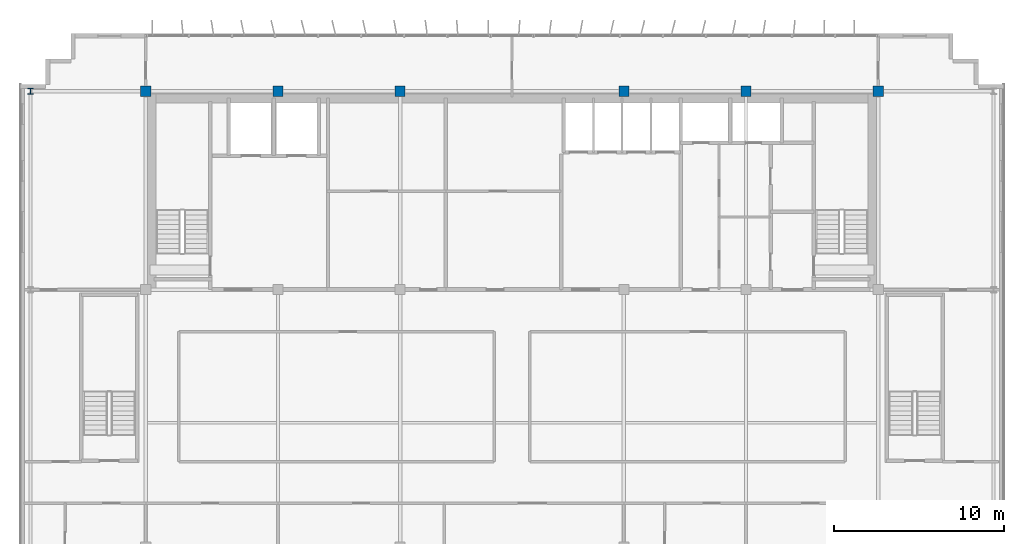
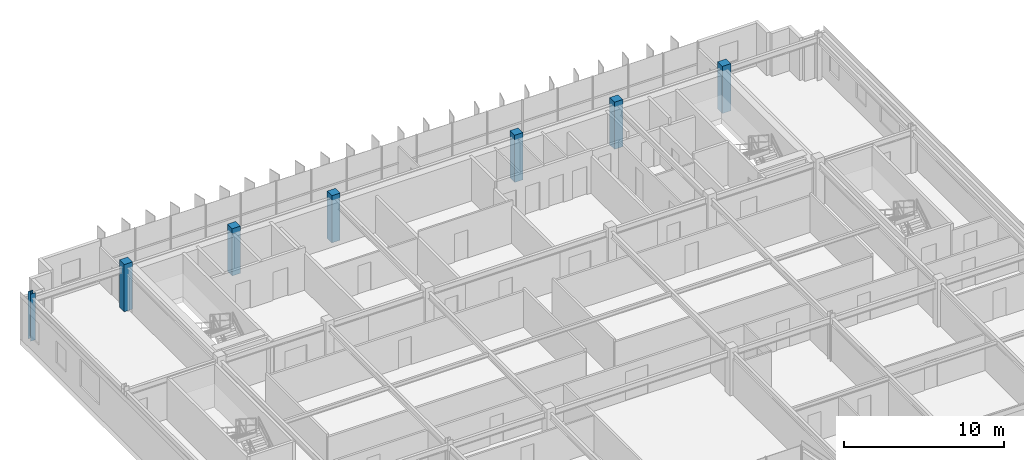
# One storey, part 3 of 28: 7 columns.
"""IFC4 building model written with IfcOpenShell, lengths in metres."""

from ifc_helpers import new_model, si_unit, direction, frame, origin, origin_2d, place, context, subcontext, project, spatial, rectangle, i_section, extrude, source, transform, mapped, material, material_profile, profile_set, type_object, element, save


model = new_model("IFC4")

# Units and contexts
model_context = context("Model", 3, precision=1e-05, world=origin(), true_north=direction((0.0, 1.0)))
body_context = subcontext(model_context, "Body", "Model", "MODEL_VIEW")
ifc_project = project(units=[si_unit("LENGTHUNIT", "METRE"), si_unit("AREAUNIT", "SQUARE_METRE"), si_unit("VOLUMEUNIT", "CUBIC_METRE"), si_unit("PLANEANGLEUNIT", "RADIAN"), si_unit("MASSUNIT", "GRAM", prefix="KILO")], contexts=[model_context])

# Site, building, storey
site_placement = place(None, origin())
site = spatial("IfcSite", under=ifc_project, at=site_placement, CompositionType="ELEMENT")
building_placement = place(site_placement, origin())
building = spatial("IfcBuilding", under=site, at=building_placement, Name="Trelvane Seafront Commons", CompositionType="ELEMENT")
storey_placement = place(building_placement, frame((0.0, 0.0, 295.5)))
storey = spatial("IfcBuildingStorey", under=building, at=storey_placement, Name="L77", CompositionType="ELEMENT", Elevation=295.5)

# Columns
ifc_material_1 = material(Name="Steel SM355 (S355)", Category="steel")
ifc_material_profile_1 = material_profile(ifc_material_1, i_section(OverallWidth=0.35009765625, OverallDepth=0.35009765625, WebThickness=0.01806640625, FlangeThickness=0.028076171875, at=origin_2d()), Name="HD-350x350x18x28")
ifc_profile_set_1 = profile_set([ifc_material_profile_1], Name="Steel SM355 (S355)")
column_type_1 = type_object("IfcColumnType", Name="STR-COL-HD350", PredefinedType="COLUMN", material=ifc_profile_set_1)
shared_shape_1 = source(origin(), body_context, "Body", "SweptSolid", [
    extrude(i_section(OverallWidth=0.35009765625, OverallDepth=0.35009765625, WebThickness=0.01806640625, FlangeThickness=0.028076171875, at=origin_2d()), origin(), (0.0, 0.0, 1.0), 3.60009765625),
])
column_placement = place(storey_placement, frame((8.800048828125, 45.10009765625, 0.0), z_axis=(0.0, 0.0, 1.0), x_axis=(1.0, 0.0, 0.0)))
element("IfcColumn", 1, at=column_placement, inside=storey, type_object=column_type_1, Name="L77 Column TC-CN8.8", PredefinedType="COLUMN", context=body_context, shape_type="MappedRepresentation", body=[
    mapped(shared_shape_1, transform((0.0, 0.0, 0.0), x_axis=(1.0, 0.0, 0.0), y_axis=(0.0, 1.0, 0.0), z_axis=(0.0, 0.0, 1.0), scale=1.0)),
])
ifc_material_2 = material(Name="Concrete C50/60", Category="concrete")
ifc_material_profile_2 = material_profile(ifc_material_2, rectangle(XDim=0.60009765625, YDim=0.60009765625, at=origin_2d()), Name="RC-600x600")
ifc_profile_set_2 = profile_set([ifc_material_profile_2], Name="Concrete C50/60")
column_type_2 = type_object("IfcColumnType", Name="STR-COL-RC600", PredefinedType="COLUMN", material=ifc_profile_set_2)
shared_shape_2 = source(origin(), body_context, "Body", "SweptSolid", [
    extrude(rectangle(XDim=0.60009765625, YDim=0.60009765625, at=origin_2d()), origin(), (0.0, 0.0, 1.0), 3.60009765625),
])
for number, where, z_axis, x_axis, name in (
    (2, (15.60009765625, 45.10009765625, 0.0), (0.0, 0.0, 1.0), (1.0, 0.0, 0.0), "L77 Column TC-CN15.6"),
    (3, (23.39990234375, 45.10009765625, 0.0), (0.0, 0.0, 1.0), (1.0, 0.0, 0.0), "L77 Column TC-CN23.4"),
    (4, (30.60009765625, 45.10009765625, 0.0), (0.0, 0.0, 1.0), (1.0, 0.0, 0.0), "L77 Column TC-CN30.6"),
    (5, (43.800048828125, 45.10009765625, 0.0), (0.0, 0.0, 1.0), (1.0, 0.0, 0.0), "L77 Column TC-CN43.8"),
    (6, (51.0, 45.10009765625, 0.0), (0.0, 0.0, 1.0), (1.0, 0.0, 0.0), "L77 Column TC-CN51.0"),
    (7, (58.800048828125, 45.10009765625, 0.0), (0.0, 0.0, 1.0), (1.0, 0.0, 0.0), "L77 Column TC-CN58.8"),
):
    element("IfcColumn", number, at=place(storey_placement, frame(where, z_axis=z_axis, x_axis=x_axis)), inside=storey, type_object=column_type_2, Name=name, PredefinedType="COLUMN", context=body_context, shape_type="MappedRepresentation", body=[
        mapped(shared_shape_2, transform((0.0, 0.0, 0.0), x_axis=(1.0, 0.0, 0.0), y_axis=(0.0, 1.0, 0.0), z_axis=(0.0, 0.0, 1.0), scale=1.0)),
    ])

save(model, "model.ifc")
